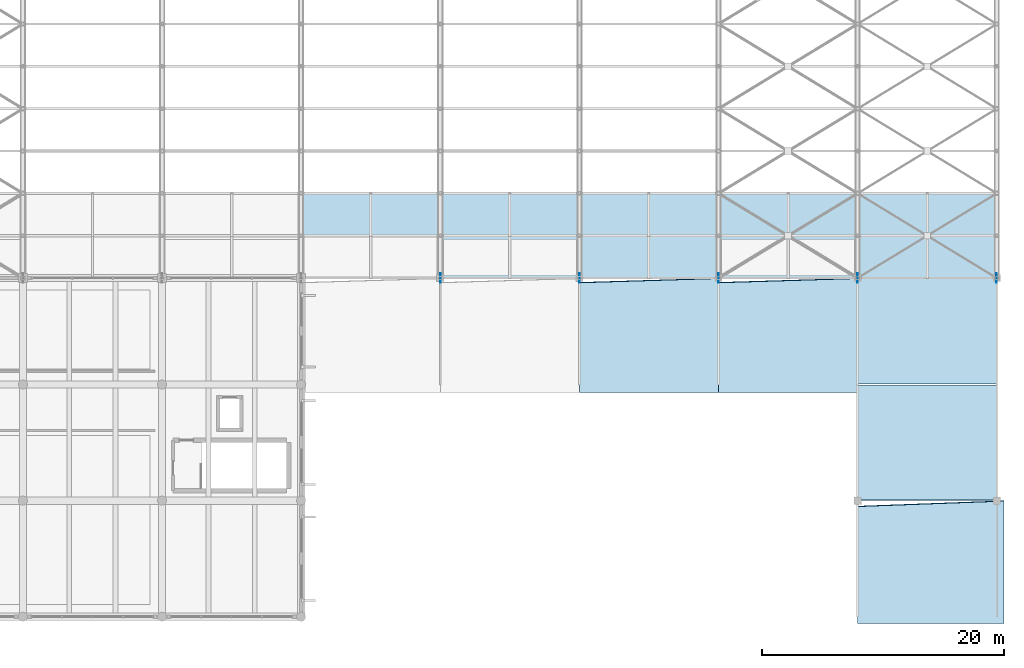
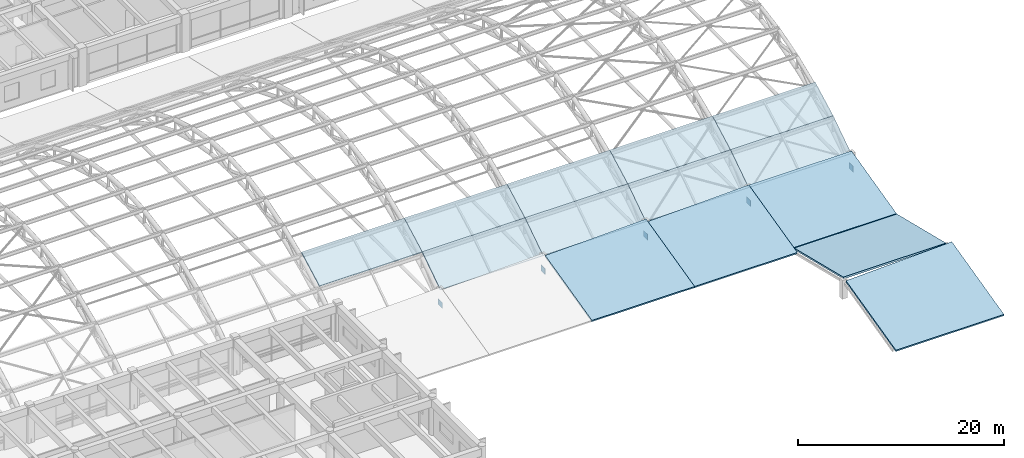
# One storey, part 131 of 154: 14 slabs, 5 plates.
"""IFC4 building model written with IfcOpenShell, lengths in metres."""

from ifc_helpers import new_model, si_unit, direction, frame, origin, origin_2d, place, context, subcontext, project, spatial, polyline, rectangle, outline, extrude, material, layer, layer_set, type_object, element, save


model = new_model("IFC4")

# Units and contexts
model_context = context("Model", 3, precision=1e-05, world=origin(), true_north=direction((0.0, 1.0)))
body_context = subcontext(model_context, "Body", "Model", "MODEL_VIEW")
ifc_project = project(units=[si_unit("LENGTHUNIT", "METRE"), si_unit("AREAUNIT", "SQUARE_METRE"), si_unit("VOLUMEUNIT", "CUBIC_METRE"), si_unit("PLANEANGLEUNIT", "RADIAN"), si_unit("MASSUNIT", "GRAM", prefix="KILO")], contexts=[model_context])

# Site, building, storey
site_placement = place(None, origin())
site = spatial("IfcSite", under=ifc_project, at=site_placement, CompositionType="ELEMENT")
building_placement = place(site_placement, origin())
building = spatial("IfcBuilding", under=site, at=building_placement, Name="Ologun Quay Terminus", CompositionType="ELEMENT")
storey_placement = place(building_placement, frame((0.0, 0.0, 13.800048828125)))
storey = spatial("IfcBuildingStorey", under=building, at=storey_placement, Name="L03", CompositionType="ELEMENT", Elevation=13.800048828125)

# Plates
ifc_material_1 = material(Name="Steel S355", Category="steel")
ifc_layer_1 = layer(ifc_material_1, 0.0400390625)
ifc_layer_set_1 = layer_set([ifc_layer_1], Name="Steel S355")
plate_type = type_object("IfcPlateType", Name="Arch Springing Steel Gusset Plate 40", PredefinedType="SHEET", material=ifc_layer_set_1)
for number, where, z_axis, x_axis, name in (
    (1, (138.0, 36.0, -0.2001953125), (0.0, 0.0, 1.0), (0.0, 1.0, 0.0), "PL-GUS Arch Springing Gusset 13/E"),
    (2, (149.5, 36.0, -0.2001953125), (0.0, 0.0, 1.0), (0.0, 1.0, 0.0), "PL-GUS Arch Springing Gusset 14/E"),
    (3, (161.0, 36.0, -0.2001953125), (0.0, 0.0, 1.0), (0.0, 1.0, 0.0), "PL-GUS Arch Springing Gusset 15/E"),
    (4, (172.5, 36.0, -0.2001953125), (0.0, 0.0, 1.0), (0.0, 1.0, 0.0), "PL-GUS Arch Springing Gusset 16/E"),
    (5, (184.0, 36.0, -0.2001953125), (0.0, 0.0, 1.0), (0.0, 1.0, 0.0), "PL-GUS Arch Springing Gusset 17/E"),
):
    element("IfcPlate", number, at=place(storey_placement, frame(where, z_axis=z_axis, x_axis=x_axis)), inside=storey, type_object=plate_type, Name=name, PredefinedType="SHEET", context=body_context, shape_type="SweptSolid", body=[
        extrude(rectangle(XDim=0.800048828125, YDim=0.0400390625, at=origin_2d()), origin(), (0.0, 0.0, 1.0), 0.699951171875),
    ])

# Slabs
ifc_material_2 = material(Name="Concrete C40/50", Category="concrete")
ifc_layer_2 = layer(ifc_material_2, 0.199951171875)
ifc_layer_set_2 = layer_set([ifc_layer_2], Name="Concrete C40/50")
slab_type_1 = type_object("IfcSlabType", Name="Pitched Overhanging Concrete Roof Slab 200", PredefinedType="ROOF", material=ifc_layer_set_2)
slab_1_placement = place(storey_placement, frame((172.5, 7.43994140625, -0.130126953125), z_axis=(8.590484e-06, -0.237137437519, 0.971476111725), x_axis=(0.999999999963, 2.037125e-06, -8.34545e-06)))
element("IfcSlab", 6, at=slab_1_placement, inside=storey, type_object=slab_type_1, Name="SL-RF SE Anchor South Pitch Roof", PredefinedType="ROOF", context=body_context, shape_type="SweptSolid", body=[
    extrude(outline(polyline([(0.0, 0.0), (12.100097655803529, 0.0), (12.100097656696473, 10.417232514070665), (-8.929439298234151e-10, 9.954120897023312), (0.0, 0.0)])), origin(), (0.0, 0.0, -1.0), 0.199951171875),
])
slab_2_placement = place(storey_placement, frame((172.5, 17.639892578125, 2.340087890625), z_axis=(0.0, 0.237761778313, 0.971323497489), x_axis=(1.0, 0.0, 0.0)))
element("IfcSlab", 7, at=slab_2_placement, inside=storey, type_object=slab_type_1, Name="SL-RF SE Anchor Valley Pitch Roof", PredefinedType="ROOF", context=body_context, shape_type="SweptSolid", body=[
    extrude(outline(polyline([(0.0, 0.0), (11.5, 0.0), (11.5, 9.801080233170683), (0.0, 9.801080233170683), (0.0, 0.0)])), origin(), (0.0, 0.0, -1.0), 0.199951171875),
])
slab_3_placement = place(storey_placement, frame((172.5, 27.239990234375, 0.009765625), z_axis=(0.0, -0.237329328997, 0.971429250948), x_axis=(1.0, 0.0, 0.0)))
element("IfcSlab", 8, at=slab_3_placement, inside=storey, type_object=slab_type_1, Name="SL-RF SE Anchor North Pitch Roof", PredefinedType="ROOF", context=body_context, shape_type="SweptSolid", body=[
    extrude(outline(polyline([(0.0, 0.0), (11.5, 0.0), (11.5, 8.976434150621495), (0.0, 8.976434150621495), (0.0, 0.0)])), origin(), (0.0, 0.0, -1.0), 0.199951171875),
])
for number, where, z_axis, x_axis, name in (
    (9, (149.5, 26.5400390625, -0.140380859375), (9.69599e-06, -0.235309114893, 0.971920583358), (0.999999999953, 2.281555e-06, -9.423732e-06), "SL-RF SEL Forecourt Link Roof 3"),
    (10, (161.0, 26.5400390625, -0.140380859375), (9.69599e-06, -0.235309114893, 0.971920583358), (0.999999999953, 2.281555e-06, -9.423732e-06), "SL-RF SEL Forecourt Link Roof 4"),
):
    element("IfcSlab", number, at=place(storey_placement, frame(where, z_axis=z_axis, x_axis=x_axis)), inside=storey, type_object=slab_type_1, Name=name, PredefinedType="ROOF", context=body_context, shape_type="SweptSolid", body=[
        extrude(outline(polyline([(0.0, 0.0), (11.49999999945943, -4.870439446712227e-21), (11.50000000054057, 9.692042537195526), (-1.0811404935267774e-09, 9.332135518207789), (0.0, 0.0)])), origin(), (0.0, 0.0, -1.0), 0.199951171875),
    ])
ifc_material_3 = material(Name="Steel S355", Category="steel")
ifc_layer_3 = layer(ifc_material_3, 0.159912109375)
ifc_layer_set_3 = layer_set([ifc_layer_3], Name="Steel S355")
slab_type_2 = type_object("IfcSlabType", Name="Train Shed Barrel Roof Facet Slab 160", PredefinedType="ROOF", material=ifc_layer_set_3)
slab_4_placement = place(storey_placement, frame((126.5, 39.5, 4.1484375), z_axis=(0.0, -0.473176099324, 0.880967864924), x_axis=(1.0, 0.0, 0.0)))
element("IfcSlab", 11, at=slab_4_placement, inside=storey, type_object=slab_type_2, Name="SL-SHD Train Shed Eave Roof Facet B12-P2", PredefinedType="ROOF", context=body_context, shape_type="SweptSolid", body=[
    extrude(outline(polyline([(0.0, 0.0), (11.5, 0.0), (11.5, 3.972903143638529), (0.0, 3.972903143638529), (0.0, 0.0)])), origin(), (0.0, 0.0, -1.0), 0.159912109375),
])
slab_5_placement = place(storey_placement, frame((138.0, 36.0, 1.809814453125), z_axis=(0.0, -0.55717065423, 0.830398014247), x_axis=(1.0, 0.0, 0.0)))
element("IfcSlab", 12, at=slab_5_placement, inside=storey, type_object=slab_type_2, Name="SL-SHD Train Shed Eave Roof Facet B13-P1", PredefinedType="ROOF", context=body_context, shape_type="SweptSolid", body=[
    extrude(outline(polyline([(0.0, 0.0), (11.5, 0.0), (11.5, 4.214846302558472), (0.0, 4.214846302558472), (0.0, 0.0)])), origin(), (0.0, 0.0, -1.0), 0.159912109375),
])
slab_6_placement = place(storey_placement, frame((138.0, 39.5, 4.1484375), z_axis=(0.0, -0.473176099324, 0.880967864924), x_axis=(1.0, 0.0, 0.0)))
element("IfcSlab", 13, at=slab_6_placement, inside=storey, type_object=slab_type_2, Name="SL-SHD Train Shed Eave Roof Facet B13-P2", PredefinedType="ROOF", context=body_context, shape_type="SweptSolid", body=[
    extrude(outline(polyline([(0.0, 0.0), (11.5, 0.0), (11.5, 3.972903143638529), (0.0, 3.972903143638529), (0.0, 0.0)])), origin(), (0.0, 0.0, -1.0), 0.159912109375),
])
slab_7_placement = place(storey_placement, frame((149.5, 36.0, 1.809814453125), z_axis=(0.0, -0.55717065423, 0.830398014247), x_axis=(1.0, 0.0, 0.0)))
element("IfcSlab", 14, at=slab_7_placement, inside=storey, type_object=slab_type_2, Name="SL-SHD Train Shed Eave Roof Facet B14-P1", PredefinedType="ROOF", context=body_context, shape_type="SweptSolid", body=[
    extrude(outline(polyline([(0.0, 0.0), (11.5, 0.0), (11.5, 4.214846302558472), (0.0, 4.214846302558472), (0.0, 0.0)])), origin(), (0.0, 0.0, -1.0), 0.159912109375),
])
slab_8_placement = place(storey_placement, frame((149.5, 39.5, 4.1484375), z_axis=(0.0, -0.473176099324, 0.880967864924), x_axis=(1.0, 0.0, 0.0)))
element("IfcSlab", 15, at=slab_8_placement, inside=storey, type_object=slab_type_2, Name="SL-SHD Train Shed Eave Roof Facet B14-P2", PredefinedType="ROOF", context=body_context, shape_type="SweptSolid", body=[
    extrude(outline(polyline([(0.0, 0.0), (11.5, 0.0), (11.5, 3.972903143638529), (0.0, 3.972903143638529), (0.0, 0.0)])), origin(), (0.0, 0.0, -1.0), 0.159912109375),
])
slab_9_placement = place(storey_placement, frame((161.0, 36.0, 1.809814453125), z_axis=(0.0, -0.55717065423, 0.830398014247), x_axis=(1.0, 0.0, 0.0)))
element("IfcSlab", 16, at=slab_9_placement, inside=storey, type_object=slab_type_2, Name="SL-SHD Train Shed Eave Roof Facet B15-P1", PredefinedType="ROOF", context=body_context, shape_type="SweptSolid", body=[
    extrude(outline(polyline([(0.0, 0.0), (11.5, 0.0), (11.5, 4.214846302558472), (0.0, 4.214846302558472), (0.0, 0.0)])), origin(), (0.0, 0.0, -1.0), 0.159912109375),
])
slab_10_placement = place(storey_placement, frame((161.0, 39.5, 4.1484375), z_axis=(0.0, -0.473176099324, 0.880967864924), x_axis=(1.0, 0.0, 0.0)))
element("IfcSlab", 17, at=slab_10_placement, inside=storey, type_object=slab_type_2, Name="SL-SHD Train Shed Eave Roof Facet B15-P2", PredefinedType="ROOF", context=body_context, shape_type="SweptSolid", body=[
    extrude(outline(polyline([(0.0, 0.0), (11.5, 0.0), (11.5, 3.972903143638529), (0.0, 3.972903143638529), (0.0, 0.0)])), origin(), (0.0, 0.0, -1.0), 0.159912109375),
])
slab_11_placement = place(storey_placement, frame((172.5, 36.0, 1.809814453125), z_axis=(0.0, -0.55717065423, 0.830398014247), x_axis=(1.0, 0.0, 0.0)))
element("IfcSlab", 18, at=slab_11_placement, inside=storey, type_object=slab_type_2, Name="SL-SHD Train Shed Eave Roof Facet B16-P1", PredefinedType="ROOF", context=body_context, shape_type="SweptSolid", body=[
    extrude(outline(polyline([(0.0, 0.0), (11.5, 0.0), (11.5, 4.214846302558472), (0.0, 4.214846302558472), (0.0, 0.0)])), origin(), (0.0, 0.0, -1.0), 0.159912109375),
])
slab_12_placement = place(storey_placement, frame((172.5, 39.5, 4.1484375), z_axis=(0.0, -0.473176099324, 0.880967864924), x_axis=(1.0, 0.0, 0.0)))
element("IfcSlab", 19, at=slab_12_placement, inside=storey, type_object=slab_type_2, Name="SL-SHD Train Shed Eave Roof Facet B16-P2", PredefinedType="ROOF", context=body_context, shape_type="SweptSolid", body=[
    extrude(outline(polyline([(0.0, 0.0), (11.5, 0.0), (11.5, 3.972903143638529), (0.0, 3.972903143638529), (0.0, 0.0)])), origin(), (0.0, 0.0, -1.0), 0.159912109375),
])

save(model, "model.ifc")
